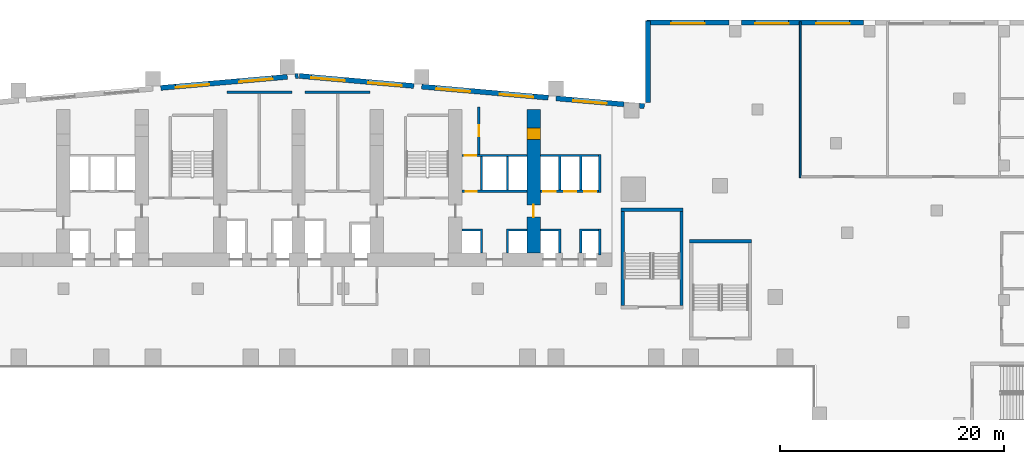
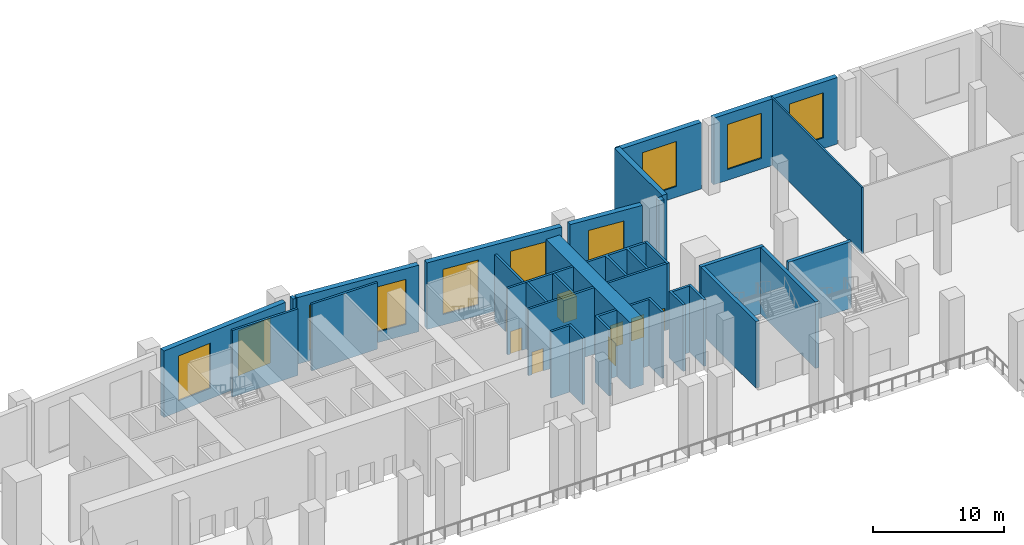
# One storey, part 16 of 30: 30 walls, 10 windows, 8 doors, 18 openings.
"""IFC4 building model written with IfcOpenShell, lengths in metres."""

from ifc_helpers import new_model, si_unit, direction, frame, frame_2d, origin, place, context, subcontext, project, spatial, polyline, rectangle, outline, extrude, material, layer, layer_set, type_object, element, fill, save


model = new_model("IFC4")

# Units and contexts
model_context = context("Model", 3, precision=1e-05, world=origin(), true_north=direction((0.0, 1.0)))
body_context = subcontext(model_context, "Body", "Model", "MODEL_VIEW")
ifc_project = project(units=[si_unit("LENGTHUNIT", "METRE"), si_unit("AREAUNIT", "SQUARE_METRE"), si_unit("VOLUMEUNIT", "CUBIC_METRE"), si_unit("PLANEANGLEUNIT", "RADIAN"), si_unit("MASSUNIT", "GRAM", prefix="KILO")], contexts=[model_context])

# Site, building, storey
site_placement = place(None, origin())
site = spatial("IfcSite", under=ifc_project, at=site_placement, CompositionType="ELEMENT")
building_placement = place(site_placement, origin())
building = spatial("IfcBuilding", under=site, at=building_placement, Name="Wharfspan Tower", CompositionType="ELEMENT")
storey_placement = place(building_placement, frame((0.0, 0.0, 15.0)))
storey = spatial("IfcBuildingStorey", under=building, at=storey_placement, Name="L02", CompositionType="ELEMENT", Elevation=15.0)

# Walls
ifc_material_1 = material(Name="Calcium silicate masonry", Category="masonry")
ifc_layer_1 = layer(ifc_material_1, 0.199951)
ifc_layer_set_1 = layer_set([ifc_layer_1], Name="Calcium silicate masonry")
wall_type_1 = type_object("IfcWallType", Name="Core room wall 200", PredefinedType="PARTITIONING", material=ifc_layer_set_1)
for number, where, z_axis, x_axis, name in (
    (1, (30.600098, 49.55249, 0.0), (0.0, 0.0, 1.0), (1.0, 0.0, 0.0), "sw:L02:RS3"),
    (2, (37.600098, 49.55249, 0.0), (0.0, 0.0, 1.0), (1.0, 0.0, 0.0), "sw:L02:RS4"),
):
    element("IfcWall", number, at=place(storey_placement, frame(where, z_axis=z_axis, x_axis=x_axis)), inside=storey, type_object=wall_type_1, Name=name, PredefinedType="PARTITIONING", context=body_context, shape_type="SweptSolid", body=[
        extrude(rectangle(XDim=5.799805, YDim=0.199951, at=frame_2d((2.899902, 0.0))), origin(), (0.0, 0.0, 1.0), 6.199951),
    ])

# Wall, opening, door
wall_1_placement = place(storey_placement, frame((53.100098, 44.0, 0.0), z_axis=(0.0, 0.0, 1.0), x_axis=(0.0, 1.0, 0.0)))
wall_1 = element("IfcWall", 3, at=wall_1_placement, inside=storey, type_object=wall_type_1, Name="sw:L02:RP6.1", PredefinedType="PARTITIONING", context=body_context, shape_type="SweptSolid", body=[
    extrude(rectangle(XDim=4.227783, YDim=0.199951, at=frame_2d((2.11377, 0.0))), origin(), (0.0, 0.0, 1.0), 6.199951),
])
opening_1_placement = place(wall_1_placement, frame((1.614014, 0.0, 0.0)))
opening_1 = element("IfcOpeningElement", 4, at=opening_1_placement, cuts=wall_1, Name="Opening CD02.6P1", PredefinedType="OPENING", context=body_context, shape_type="SweptSolid", body=[
    extrude(rectangle(XDim=1.0, YDim=2.100098, at=frame_2d((0.5, 1.050049))), frame((0.0, 0.109863, 0.0), z_axis=(0.0, -1.0, 0.0), x_axis=(1.0, 0.0, 0.0)), (0.0, 0.0, 1.0), 0.219971),
])
ifc_material_2 = material(Name="Steel door leaf", Category="steel")
door_type_1 = type_object("IfcDoorType", Name="Core room door 1000x2100", OperationType="SINGLE_SWING_LEFT", PredefinedType="DOOR", material=ifc_material_2)
door_1_placement = place(opening_1_placement, origin())
door_1 = element("IfcDoor", 5, at=door_1_placement, inside=storey, type_object=door_type_1, Name="d:L02:6:rp1", OperationType="SINGLE_SWING_LEFT", OverallHeight=2.100098, OverallWidth=1.0, PredefinedType="DOOR", context=body_context, shape_type="SweptSolid", body=[
    extrude(rectangle(XDim=1.0, YDim=2.100098, at=frame_2d((0.5, 1.050049))), frame((0.0, 0.024902, 0.0), z_axis=(0.0, -1.0, 0.0), x_axis=(1.0, 0.0, 0.0)), (0.0, 0.0, 1.0), 0.050049),
])
fill(opening_1, door_1)

# Wall, openings, doors
ifc_material_3 = material(Name="Concrete C70/85", Category="concrete")
ifc_layer_2 = layer(ifc_material_3, 1.199951)
ifc_layer_set_2 = layer_set([ifc_layer_2], Name="Concrete C70/85")
wall_type_2 = type_object("IfcWallType", Name="Core wall fallback 1.2", PredefinedType="SHEAR", material=ifc_layer_set_2)
wall_2_placement = place(storey_placement, frame((58.0, 35.199951, 0.0), z_axis=(0.0, 0.0, 1.0), x_axis=(0.0, 1.0, 0.0)))
wall_2 = element("IfcWall", 6, at=wall_2_placement, inside=storey, type_object=wall_type_2, Name="cw:L02:X7", PredefinedType="SHEAR", context=body_context, shape_type="SweptSolid", body=[
    extrude(rectangle(XDim=12.800049, YDim=1.199951, at=frame_2d((6.399902, 0.0))), origin(), (0.0, 0.0, 1.0), 6.199951),
])
opening_2_placement = place(wall_2_placement, frame((10.133789, 0.0, 0.0)))
opening_2 = element("IfcOpeningElement", 7, at=opening_2_placement, cuts=wall_2, Name="Opening CD02.7X", PredefinedType="OPENING", context=body_context, shape_type="SweptSolid", body=[
    extrude(rectangle(XDim=1.0, YDim=2.100098, at=frame_2d((0.5, 1.050049))), frame((0.0, 0.609863, 0.0), z_axis=(0.0, -1.0, 0.0), x_axis=(1.0, 0.0, 0.0)), (0.0, 0.0, 1.0), 1.219971),
])
opening_3_placement = place(wall_2_placement, frame((3.199951, 0.0, 0.0)))
opening_3 = element("IfcOpeningElement", 8, at=opening_3_placement, cuts=wall_2, Name="Opening CC02.7", PredefinedType="OPENING", context=body_context, shape_type="SweptSolid", body=[
    extrude(rectangle(XDim=1.100098, YDim=2.100098, at=frame_2d((0.550049, 1.050049))), frame((0.0, 0.609863, 0.0), z_axis=(0.0, -1.0, 0.0), x_axis=(1.0, 0.0, 0.0)), (0.0, 0.0, 1.0), 1.219971),
])
door_type_2 = type_object("IfcDoorType", Name="Core corridor door 1100x2100", OperationType="SINGLE_SWING_LEFT", PredefinedType="DOOR", material=ifc_material_2)
door_2_placement = place(opening_3_placement, origin())
door_2 = element("IfcDoor", 9, at=door_2_placement, inside=storey, type_object=door_type_2, Name="xd:L02:7", OperationType="SINGLE_SWING_LEFT", OverallHeight=2.100098, OverallWidth=1.100098, PredefinedType="DOOR", context=body_context, shape_type="SweptSolid", body=[
    extrude(rectangle(XDim=1.100098, YDim=2.100098, at=frame_2d((0.550049, 1.050049))), frame((0.0, 0.024902, 0.0), z_axis=(0.0, -1.0, 0.0), x_axis=(1.0, 0.0, 0.0)), (0.0, 0.0, 1.0), 0.050049),
])
fill(opening_3, door_2)
door_3_placement = place(opening_2_placement, origin())
door_3 = element("IfcDoor", 10, at=door_3_placement, inside=storey, type_object=door_type_1, Name="d:L02:7:sx", OperationType="SINGLE_SWING_LEFT", OverallHeight=2.100098, OverallWidth=1.0, PredefinedType="DOOR", context=body_context, shape_type="SweptSolid", body=[
    extrude(rectangle(XDim=1.0, YDim=2.100098, at=frame_2d((0.5, 1.050049))), frame((0.0, 0.599609, 0.0), z_axis=(0.0, -1.0, 0.0), x_axis=(1.0, 0.0, 0.0)), (0.0, 0.0, 1.0), 1.199463),
])
fill(opening_2, door_3)

# Wall, opening, door
ifc_material_4 = material(Name="Concrete C30/37", Category="concrete")
ifc_layer_3 = layer(ifc_material_4, 0.199951)
ifc_layer_set_3 = layer_set([ifc_layer_3], Name="Concrete C30/37")
wall_type_3 = type_object("IfcWallType", Name="Lift shaft wall 200", PredefinedType="PARTITIONING", material=ifc_layer_set_3)
wall_3_placement = place(storey_placement, frame((51.600098, 40.699951, 0.0), z_axis=(0.0, 0.0, 1.0), x_axis=(1.0, 0.0, 0.0)))
wall_3 = element("IfcWall", 11, at=wall_3_placement, inside=storey, type_object=wall_type_3, Name="sw:L02:RF6", PredefinedType="PARTITIONING", context=body_context, shape_type="SweptSolid", body=[
    extrude(rectangle(XDim=5.799805, YDim=0.199951, at=frame_2d((2.899902, 0.0))), origin(), (0.0, 0.0, 1.0), 6.199951),
])
opening_4_placement = place(wall_3_placement, frame((0.31665, 0.0, 0.0)))
opening_4 = element("IfcOpeningElement", 12, at=opening_4_placement, cuts=wall_3, Name="Opening CD02.6R1", PredefinedType="OPENING", context=body_context, shape_type="SweptSolid", body=[
    extrude(rectangle(XDim=1.0, YDim=2.100098, at=frame_2d((0.5, 1.050049))), frame((0.0, 0.109863, 0.0), z_axis=(0.0, -1.0, 0.0), x_axis=(1.0, 0.0, 0.0)), (0.0, 0.0, 1.0), 0.219971),
])
door_4_placement = place(opening_4_placement, origin())
door_4 = element("IfcDoor", 13, at=door_4_placement, inside=storey, type_object=door_type_1, Name="d:L02:6:rd6.1", OperationType="SINGLE_SWING_RIGHT", OverallHeight=2.100098, OverallWidth=1.0, PredefinedType="DOOR", context=body_context, shape_type="SweptSolid", body=[
    extrude(rectangle(XDim=1.0, YDim=2.100098, at=frame_2d((0.5, 1.050049))), frame((0.0, 0.024902, 0.0), z_axis=(0.0, -1.0, 0.0), x_axis=(1.0, 0.0, 0.0)), (0.0, 0.0, 1.0), 0.050049),
])
fill(opening_4, door_4)

wall_4_placement = place(storey_placement, frame((51.600098, 43.899902, 0.0), z_axis=(0.0, 0.0, 1.0), x_axis=(1.0, 0.0, 0.0)))
wall_4 = element("IfcWall", 14, at=wall_4_placement, inside=storey, type_object=wall_type_3, Name="sw:L02:RR6", PredefinedType="PARTITIONING", context=body_context, shape_type="SweptSolid", body=[
    extrude(rectangle(XDim=5.799805, YDim=0.199951, at=frame_2d((2.899902, 0.0))), origin(), (0.0, 0.0, 1.0), 6.199951),
])
opening_5_placement = place(wall_4_placement, frame((0.25, 0.0, 0.0)))
opening_5 = element("IfcOpeningElement", 15, at=opening_5_placement, cuts=wall_4, Name="Opening CD02.6S1", PredefinedType="OPENING", context=body_context, shape_type="SweptSolid", body=[
    extrude(rectangle(XDim=1.0, YDim=2.100098, at=frame_2d((0.5, 1.050049))), frame((0.0, 0.109863, 0.0), z_axis=(0.0, -1.0, 0.0), x_axis=(1.0, 0.0, 0.0)), (0.0, 0.0, 1.0), 0.219971),
])
door_5_placement = place(opening_5_placement, origin())
door_5 = element("IfcDoor", 16, at=door_5_placement, inside=storey, type_object=door_type_1, Name="d:L02:6:rs6.1", OperationType="SINGLE_SWING_LEFT", OverallHeight=2.100098, OverallWidth=1.0, PredefinedType="DOOR", context=body_context, shape_type="SweptSolid", body=[
    extrude(rectangle(XDim=1.0, YDim=2.100098, at=frame_2d((0.5, 1.050049))), frame((0.0, 0.024902, 0.0), z_axis=(0.0, -1.0, 0.0), x_axis=(1.0, 0.0, 0.0)), (0.0, 0.0, 1.0), 0.050049),
])
fill(opening_5, door_5)

# Walls
wall_5_placement = place(storey_placement, frame((0.0, 0.0, -0.000244)))
element("IfcWall", 17, at=wall_5_placement, inside=storey, type_object=wall_type_3, Name="sw:L02:FM6.0", PredefinedType="PARTITIONING", context=body_context, shape_type="SweptSolid", body=[
    extrude(outline(polyline([(53.233398, 37.149902), (51.600098, 37.149902), (51.600098, 37.350098), (53.233398, 37.350098), (53.43335, 37.350098), (53.43335, 35.199951), (53.233398, 35.199951), (53.233398, 37.149902)])), origin(), (0.0, 0.0, 1.0), 6.200195),
])
wall_6_placement = place(storey_placement, frame((0.0, 0.0, -0.000244)))
element("IfcWall", 18, at=wall_6_placement, inside=storey, type_object=wall_type_3, Name="sw:L02:FM6.1", PredefinedType="PARTITIONING", context=body_context, shape_type="SweptSolid", body=[
    extrude(outline(polyline([(55.56665, 37.350098), (55.766602, 37.350098), (57.399902, 37.350098), (57.399902, 37.149902), (55.766602, 37.149902), (55.766602, 35.199951), (55.56665, 35.199951), (55.56665, 37.350098)])), origin(), (0.0, 0.0, 1.0), 6.200195),
])
wall_7_placement = place(storey_placement, frame((0.0, 0.0, -0.000244)))
element("IfcWall", 19, at=wall_7_placement, inside=storey, type_object=wall_type_3, Name="sw:L02:RM6.0", PredefinedType="PARTITIONING", context=body_context, shape_type="SweptSolid", body=[
    extrude(outline(polyline([(53.233398, 40.800049), (53.233398, 43.800049), (53.43335, 43.800049), (53.43335, 40.800049), (53.233398, 40.800049)])), origin(), (0.0, 0.0, 1.0), 6.200195),
])
wall_8_placement = place(storey_placement, frame((0.0, 0.0, -0.000244)))
element("IfcWall", 20, at=wall_8_placement, inside=storey, type_object=wall_type_3, Name="sw:L02:RM6.1", PredefinedType="PARTITIONING", context=body_context, shape_type="SweptSolid", body=[
    extrude(outline(polyline([(55.56665, 40.800049), (55.56665, 43.800049), (55.766602, 43.800049), (55.766602, 40.800049), (55.56665, 40.800049)])), origin(), (0.0, 0.0, 1.0), 6.200195),
])

# Wall, openings, doors
wall_9_placement = place(storey_placement, frame((58.600098, 40.699951, 0.0), z_axis=(0.0, 0.0, 1.0), x_axis=(1.0, 0.0, 0.0)))
wall_9 = element("IfcWall", 21, at=wall_9_placement, inside=storey, type_object=wall_type_3, Name="sw:L02:RF7", PredefinedType="PARTITIONING", context=body_context, shape_type="SweptSolid", body=[
    extrude(rectangle(XDim=5.199951, YDim=0.199951, at=frame_2d((2.600098, 0.0))), origin(), (0.0, 0.0, 1.0), 6.199951),
])
opening_6_placement = place(wall_9_placement, frame((0.266602, 0.0, 0.0)))
opening_6 = element("IfcOpeningElement", 22, at=opening_6_placement, cuts=wall_9, Name="Opening LD.LA8.L02", PredefinedType="OPENING", context=body_context, shape_type="SweptSolid", body=[
    extrude(rectangle(XDim=1.100098, YDim=2.100098, at=frame_2d((0.550049, 1.050049))), frame((0.0, 0.109863, 0.0), z_axis=(0.0, -1.0, 0.0), x_axis=(1.0, 0.0, 0.0)), (0.0, 0.0, 1.0), 0.219971),
])
opening_7_placement = place(wall_9_placement, frame((2.116699, 0.0, 0.0)))
opening_7 = element("IfcOpeningElement", 23, at=opening_7_placement, cuts=wall_9, Name="Opening LD.LA9.L02", PredefinedType="OPENING", context=body_context, shape_type="SweptSolid", body=[
    extrude(rectangle(XDim=1.100098, YDim=2.100098, at=frame_2d((0.550049, 1.050049))), frame((0.0, 0.109863, 0.0), z_axis=(0.0, -1.0, 0.0), x_axis=(1.0, 0.0, 0.0)), (0.0, 0.0, 1.0), 0.219971),
])
opening_8_placement = place(wall_9_placement, frame((3.899902, 0.0, 0.0)))
opening_8 = element("IfcOpeningElement", 24, at=opening_8_placement, cuts=wall_9, Name="Opening LD.LA10.L02", PredefinedType="OPENING", context=body_context, shape_type="SweptSolid", body=[
    extrude(rectangle(XDim=1.100098, YDim=2.100098, at=frame_2d((0.550049, 1.050049))), frame((0.0, 0.109863, 0.0), z_axis=(0.0, -1.0, 0.0), x_axis=(1.0, 0.0, 0.0)), (0.0, 0.0, 1.0), 0.219971),
])
ifc_material_5 = material(Name="Stainless steel", Category="steel")
door_type_3 = type_object("IfcDoorType", Name="Lift landing door 1100x2100", OperationType="DOUBLE_DOOR_SLIDING", PredefinedType="DOOR", material=ifc_material_5)
door_6_placement = place(opening_6_placement, origin())
door_6 = element("IfcDoor", 25, at=door_6_placement, inside=storey, type_object=door_type_3, Name="Landing door LA8 L02", OperationType="DOUBLE_DOOR_SLIDING", OverallHeight=2.100098, OverallWidth=1.100098, PredefinedType="DOOR", context=body_context, shape_type="SweptSolid", body=[
    extrude(rectangle(XDim=1.100098, YDim=2.100098, at=frame_2d((0.550049, 1.050049))), frame((0.0, 0.024902, 0.0), z_axis=(0.0, -1.0, 0.0), x_axis=(1.0, 0.0, 0.0)), (0.0, 0.0, 1.0), 0.050049),
])
fill(opening_6, door_6)
door_7_placement = place(opening_7_placement, origin())
door_7 = element("IfcDoor", 26, at=door_7_placement, inside=storey, type_object=door_type_3, Name="Landing door LA9 L02", OperationType="DOUBLE_DOOR_SLIDING", OverallHeight=2.100098, OverallWidth=1.100098, PredefinedType="DOOR", context=body_context, shape_type="SweptSolid", body=[
    extrude(rectangle(XDim=1.100098, YDim=2.100098, at=frame_2d((0.550049, 1.050049))), frame((0.0, 0.024902, 0.0), z_axis=(0.0, -1.0, 0.0), x_axis=(1.0, 0.0, 0.0)), (0.0, 0.0, 1.0), 0.050049),
])
fill(opening_7, door_7)
door_8_placement = place(opening_8_placement, origin())
door_8 = element("IfcDoor", 27, at=door_8_placement, inside=storey, type_object=door_type_3, Name="Landing door LA10 L02", OperationType="DOUBLE_DOOR_SLIDING", OverallHeight=2.100098, OverallWidth=1.100098, PredefinedType="DOOR", context=body_context, shape_type="SweptSolid", body=[
    extrude(rectangle(XDim=1.100098, YDim=2.100098, at=frame_2d((0.550049, 1.050049))), frame((0.0, 0.024902, 0.0), z_axis=(0.0, -1.0, 0.0), x_axis=(1.0, 0.0, 0.0)), (0.0, 0.0, 1.0), 0.050049),
])
fill(opening_8, door_8)

# Walls
wall_10_placement = place(storey_placement, frame((0.0, 0.0, -0.000244)))
element("IfcWall", 28, at=wall_10_placement, inside=storey, type_object=wall_type_3, Name="sw:L02:FM7.0", PredefinedType="PARTITIONING", context=body_context, shape_type="SweptSolid", body=[
    extrude(outline(polyline([(60.233398, 37.149902), (58.600098, 37.149902), (58.600098, 37.350098), (60.233398, 37.350098), (60.43335, 37.350098), (60.43335, 35.199951), (60.233398, 35.199951), (60.233398, 37.149902)])), origin(), (0.0, 0.0, 1.0), 6.200195),
])
wall_11_placement = place(storey_placement, frame((0.0, 0.0, -0.000244)))
element("IfcWall", 29, at=wall_11_placement, inside=storey, type_object=wall_type_3, Name="sw:L02:FM7.1", PredefinedType="PARTITIONING", context=body_context, shape_type="SweptSolid", body=[
    extrude(outline(polyline([(62.100098, 37.350098), (62.300049, 37.350098), (63.800049, 37.350098), (63.800049, 37.149902), (62.300049, 37.149902), (62.300049, 35.199951), (62.100098, 35.199951), (62.100098, 37.350098)])), origin(), (0.0, 0.0, 1.0), 6.200195),
])
wall_12_placement = place(storey_placement, frame((0.0, 0.0, -0.000244)))
element("IfcWall", 30, at=wall_12_placement, inside=storey, type_object=wall_type_3, Name="sw:L02:RM7.0", PredefinedType="PARTITIONING", context=body_context, shape_type="SweptSolid", body=[
    extrude(outline(polyline([(60.43335, 40.800049), (60.233398, 40.800049), (60.233398, 43.800049), (58.600098, 43.800049), (58.600098, 44.0), (63.800049, 44.0), (63.800049, 43.800049), (62.300049, 43.800049), (62.300049, 40.800049), (62.100098, 40.800049), (62.100098, 43.800049), (60.43335, 43.800049), (60.43335, 40.800049)])), origin(), (0.0, 0.0, 1.0), 6.200195),
])
wall_13_placement = place(storey_placement, frame((63.899902, 35.0, 0.0), z_axis=(0.0, 0.0, 1.0), x_axis=(0.0, 1.0, 0.0)))
element("IfcWall", 31, at=wall_13_placement, inside=storey, type_object=wall_type_3, Name="sw:L02:ECF7", PredefinedType="PARTITIONING", context=body_context, shape_type="SweptSolid", body=[
    extrude(rectangle(XDim=2.350098, YDim=0.199951, at=frame_2d((1.175049, 0.0))), origin(), (0.0, 0.0, 1.0), 6.199951),
])
wall_14_placement = place(storey_placement, frame((63.899902, 40.600098, 0.0), z_axis=(0.0, 0.0, 1.0), x_axis=(0.0, 1.0, 0.0)))
element("IfcWall", 32, at=wall_14_placement, inside=storey, type_object=wall_type_3, Name="sw:L02:ECR7", PredefinedType="PARTITIONING", context=body_context, shape_type="SweptSolid", body=[
    extrude(rectangle(XDim=3.399902, YDim=0.199951, at=frame_2d((1.699951, 0.0))), origin(), (0.0, 0.0, 1.0), 6.199951),
])
ifc_layer_4 = layer(ifc_material_1, 0.149902)
ifc_layer_set_4 = layer_set([ifc_layer_4], Name="Calcium silicate masonry")
wall_type_4 = type_object("IfcWallType", Name="Podium room wall 150", PredefinedType="PARTITIONING", material=ifc_layer_set_4)
wall_15_placement = place(storey_placement, frame((81.800049, 41.925049, 0.0), z_axis=(0.0, 0.0, 1.0), x_axis=(0.0, 1.0, 0.0)))
element("IfcWall", 33, at=wall_15_placement, inside=storey, type_object=wall_type_4, Name="iw:L02:48", PredefinedType="PARTITIONING", context=body_context, shape_type="SweptSolid", body=[
    extrude(rectangle(XDim=13.925049, YDim=0.149902, at=frame_2d((6.962402, 0.0))), origin(), (0.0, 0.0, 1.0), 6.199951),
])
ifc_material_6 = material(Name="Concrete C40/50", Category="concrete")
ifc_layer_5 = layer(ifc_material_6, 0.300049)
ifc_layer_set_5 = layer_set([ifc_layer_5], Name="Concrete C40/50")
wall_type_5 = type_object("IfcWallType", Name="Podium stair core wall 300", PredefinedType="SHEAR", material=ifc_layer_set_5)
wall_16_placement = place(storey_placement, frame((65.800049, 39.050049, 0.0), z_axis=(0.0, 0.0, 1.0), x_axis=(1.0, 0.0, 0.0)))
element("IfcWall", 34, at=wall_16_placement, inside=storey, type_object=wall_type_5, Name="iw:L02:PS4N", PredefinedType="SHEAR", context=body_context, shape_type="SweptSolid", body=[
    extrude(rectangle(XDim=5.550049, YDim=0.300049, at=frame_2d((2.774902, 0.0))), origin(), (0.0, 0.0, 1.0), 6.199951),
])
for number, where, z_axis, x_axis, name in (
    (35, (65.949951, 30.5, 0.0), (0.0, 0.0, 1.0), (0.0, 1.0, 0.0), "iw:L02:PS4W"),
    (36, (71.199951, 30.5, 0.0), (0.0, 0.0, 1.0), (0.0, 1.0, 0.0), "iw:L02:PS4E"),
):
    element("IfcWall", number, at=place(storey_placement, frame(where, z_axis=z_axis, x_axis=x_axis)), inside=storey, type_object=wall_type_5, Name=name, PredefinedType="SHEAR", context=body_context, shape_type="SweptSolid", body=[
        extrude(rectangle(XDim=8.399902, YDim=0.300049, at=frame_2d((4.199951, 0.0))), origin(), (0.0, 0.0, 1.0), 6.199951),
    ])
wall_17_placement = place(storey_placement, frame((71.91748, 36.25, 0.0), z_axis=(0.0, 0.0, 1.0), x_axis=(1.0, 0.0, 0.0)))
element("IfcWall", 37, at=wall_17_placement, inside=storey, type_object=wall_type_5, Name="iw:L02:PS5N", PredefinedType="SHEAR", context=body_context, shape_type="SweptSolid", body=[
    extrude(rectangle(XDim=5.550049, YDim=0.300049, at=frame_2d((2.774902, 0.0))), origin(), (0.0, 0.0, 1.0), 6.199951),
])

# Wall, openings, windows
ifc_layer_6 = layer(ifc_material_6, 0.449951)
ifc_layer_set_6 = layer_set([ifc_layer_6], Name="Concrete C40/50")
wall_type_6 = type_object("IfcWallType", Name="WALL BOARD-MARKED CONCRETE 450", PredefinedType="SOLIDWALL", material=ifc_layer_set_6)
wall_18_placement = place(storey_placement, frame((87.449951, 55.774902, 0.0), z_axis=(0.0, 0.0, 1.0), x_axis=(-1.0, 0.0, 0.0)))
wall_18 = element("IfcWall", 38, at=wall_18_placement, inside=storey, type_object=wall_type_6, Name="Podium wall PF5", PredefinedType="SOLIDWALL", context=body_context, shape_type="SweptSolid", body=[
    extrude(rectangle(XDim=10.899902, YDim=0.449951, at=frame_2d((5.449951, 0.0))), origin(), (0.0, 0.0, 1.0), 6.199951),
])
opening_9_placement = place(wall_18_placement, frame((1.225098, 0.0, 1.0)))
opening_9 = element("IfcOpeningElement", 39, at=opening_9_placement, cuts=wall_18, Name="Opening EWN2", PredefinedType="OPENING", context=body_context, shape_type="SweptSolid", body=[
    extrude(rectangle(XDim=3.0, YDim=4.199951, at=frame_2d((1.5, 2.100098))), frame((0.0, 0.234863, 0.0), z_axis=(0.0, -1.0, 0.0), x_axis=(1.0, 0.0, 0.0)), (0.0, 0.0, 1.0), 0.469971),
])
opening_10_placement = place(wall_18_placement, frame((6.675049, 0.0, 1.0)))
opening_10 = element("IfcOpeningElement", 40, at=opening_10_placement, cuts=wall_18, Name="Opening EWN2", PredefinedType="OPENING", context=body_context, shape_type="SweptSolid", body=[
    extrude(rectangle(XDim=3.0, YDim=4.199951, at=frame_2d((1.5, 2.100098))), frame((0.0, 0.234863, 0.0), z_axis=(0.0, -1.0, 0.0), x_axis=(1.0, 0.0, 0.0)), (0.0, 0.0, 1.0), 0.469971),
])
ifc_material_7 = material(Name="Aluminium 6063-T6", Category="aluminium")
window_type = type_object("IfcWindowType", Name="WINDOW 3000x4200", PartitioningType="SINGLE_PANEL", PredefinedType="WINDOW", material=ifc_material_7)
window_1_placement = place(opening_9_placement, origin())
window_1 = element("IfcWindow", 41, at=window_1_placement, inside=storey, type_object=window_type, Name="Podium window", OverallHeight=4.199951, OverallWidth=3.0, PartitioningType="SINGLE_PANEL", PredefinedType="WINDOW", context=body_context, shape_type="SweptSolid", body=[
    extrude(rectangle(XDim=3.0, YDim=4.199951, at=frame_2d((1.5, 2.100098))), frame((0.0, 0.10498, 0.0), z_axis=(0.0, -1.0, 0.0), x_axis=(1.0, 0.0, 0.0)), (0.0, 0.0, 1.0), 0.060059),
])
fill(opening_9, window_1)
window_2_placement = place(opening_10_placement, origin())
window_2 = element("IfcWindow", 42, at=window_2_placement, inside=storey, type_object=window_type, Name="Podium window", OverallHeight=4.199951, OverallWidth=3.0, PartitioningType="SINGLE_PANEL", PredefinedType="WINDOW", context=body_context, shape_type="SweptSolid", body=[
    extrude(rectangle(XDim=3.0, YDim=4.199951, at=frame_2d((1.5, 2.100098))), frame((0.0, 0.10498, 0.0), z_axis=(0.0, -1.0, 0.0), x_axis=(1.0, 0.0, 0.0)), (0.0, 0.0, 1.0), 0.060059),
])
fill(opening_10, window_2)

# Wall, opening, window
wall_19_placement = place(storey_placement, frame((75.449951, 55.774902, 0.0), z_axis=(0.0, 0.0, 1.0), x_axis=(-1.0, 0.0, 0.0)))
wall_19 = element("IfcWall", 43, at=wall_19_placement, inside=storey, type_object=wall_type_6, Name="Podium wall PF5", PredefinedType="SOLIDWALL", context=body_context, shape_type="SweptSolid", body=[
    extrude(rectangle(XDim=7.349854, YDim=0.449951, at=frame_2d((3.674805, 0.0))), origin(), (0.0, 0.0, 1.0), 6.199951),
])
opening_11_placement = place(wall_19_placement, frame((2.175049, 0.0, 1.0)))
opening_11 = element("IfcOpeningElement", 44, at=opening_11_placement, cuts=wall_19, Name="Opening EWN2", PredefinedType="OPENING", context=body_context, shape_type="SweptSolid", body=[
    extrude(rectangle(XDim=3.0, YDim=4.199951, at=frame_2d((1.5, 2.100098))), frame((0.0, 0.234863, 0.0), z_axis=(0.0, -1.0, 0.0), x_axis=(1.0, 0.0, 0.0)), (0.0, 0.0, 1.0), 0.469971),
])
window_3_placement = place(opening_11_placement, origin())
window_3 = element("IfcWindow", 45, at=window_3_placement, inside=storey, type_object=window_type, Name="Podium window", OverallHeight=4.199951, OverallWidth=3.0, PartitioningType="SINGLE_PANEL", PredefinedType="WINDOW", context=body_context, shape_type="SweptSolid", body=[
    extrude(rectangle(XDim=3.0, YDim=4.199951, at=frame_2d((1.5, 2.100098))), frame((0.0, 0.10498, 0.0), z_axis=(0.0, -1.0, 0.0), x_axis=(1.0, 0.0, 0.0)), (0.0, 0.0, 1.0), 0.060059),
])
fill(opening_11, window_3)

# Wall
wall_20_placement = place(storey_placement, frame((68.225098, 55.899902, 0.0), z_axis=(0.0, 0.0, 1.0), x_axis=(0.0, -1.0, 0.0)))
element("IfcWall", 46, at=wall_20_placement, inside=storey, type_object=wall_type_6, Name="Podium wall PF6", PredefinedType="SOLIDWALL", context=body_context, shape_type="SweptSolid", body=[
    extrude(rectangle(XDim=7.274658, YDim=0.449951, at=frame_2d((3.637207, 0.0))), origin(), (0.0, 0.0, 1.0), 6.199951),
])

# Wall, opening, window
wall_21_placement = place(storey_placement, frame((66.05835, 48.468994, 0.0), z_axis=(0.0, 0.0, 1.0), x_axis=(-0.996195, 0.087158, 0.0)))
wall_21 = element("IfcWall", 47, at=wall_21_placement, inside=storey, type_object=wall_type_6, Name="Podium wall PF7", PredefinedType="SOLIDWALL", context=body_context, shape_type="SweptSolid", body=[
    extrude(rectangle(XDim=6.081299, YDim=0.449951, at=frame_2d((3.040527, 0.0))), origin(), (0.0, 0.0, 1.0), 6.199951),
])
opening_12_placement = place(wall_21_placement, frame((1.540527, 0.0, 1.0)))
opening_12 = element("IfcOpeningElement", 48, at=opening_12_placement, cuts=wall_21, Name="Opening EWN2", PredefinedType="OPENING", context=body_context, shape_type="SweptSolid", body=[
    extrude(rectangle(XDim=3.0, YDim=4.199951, at=frame_2d((1.5, 2.100098))), frame((0.0, 0.234863, 0.0), z_axis=(0.0, -1.0, 0.0), x_axis=(1.0, 0.0, 0.0)), (0.0, 0.0, 1.0), 0.469971),
])
window_4_placement = place(opening_12_placement, origin())
window_4 = element("IfcWindow", 49, at=window_4_placement, inside=storey, type_object=window_type, Name="Podium window", OverallHeight=4.199951, OverallWidth=3.0, PartitioningType="SINGLE_PANEL", PredefinedType="WINDOW", context=body_context, shape_type="SweptSolid", body=[
    extrude(rectangle(XDim=3.0, YDim=4.199951, at=frame_2d((1.5, 2.100098))), frame((0.0, 0.10498, 0.0), z_axis=(0.0, -1.0, 0.0), x_axis=(1.0, 0.0, 0.0)), (0.0, 0.0, 1.0), 0.060059),
])
fill(opening_12, window_4)

# Wall, openings, windows
wall_22_placement = place(storey_placement, frame((59.300537, 49.060303, 0.0), z_axis=(0.0, 0.0, 1.0), x_axis=(-0.996195, 0.087145, 0.0)))
wall_22 = element("IfcWall", 50, at=wall_22_placement, inside=storey, type_object=wall_type_6, Name="Podium wall PF7", PredefinedType="SOLIDWALL", context=body_context, shape_type="SweptSolid", body=[
    extrude(rectangle(XDim=11.343506, YDim=0.449951, at=frame_2d((5.671875, 0.0))), origin(), (0.0, 0.0, 1.0), 6.199951),
])
opening_13_placement = place(wall_22_placement, frame((1.335938, 0.0, 1.0)))
opening_13 = element("IfcOpeningElement", 51, at=opening_13_placement, cuts=wall_22, Name="Opening EWN2", PredefinedType="OPENING", context=body_context, shape_type="SweptSolid", body=[
    extrude(rectangle(XDim=3.0, YDim=4.199951, at=frame_2d((1.5, 2.100098))), frame((0.0, 0.234863, 0.0), z_axis=(0.0, -1.0, 0.0), x_axis=(1.0, 0.0, 0.0)), (0.0, 0.0, 1.0), 0.469971),
])
opening_14_placement = place(wall_22_placement, frame((7.007568, 0.0, 1.0)))
opening_14 = element("IfcOpeningElement", 52, at=opening_14_placement, cuts=wall_22, Name="Opening EWN2", PredefinedType="OPENING", context=body_context, shape_type="SweptSolid", body=[
    extrude(rectangle(XDim=3.0, YDim=4.199951, at=frame_2d((1.5, 2.100098))), frame((0.0, 0.234863, 0.0), z_axis=(0.0, -1.0, 0.0), x_axis=(1.0, 0.0, 0.0)), (0.0, 0.0, 1.0), 0.469971),
])
window_5_placement = place(opening_13_placement, origin())
window_5 = element("IfcWindow", 53, at=window_5_placement, inside=storey, type_object=window_type, Name="Podium window", OverallHeight=4.199951, OverallWidth=3.0, PartitioningType="SINGLE_PANEL", PredefinedType="WINDOW", context=body_context, shape_type="SweptSolid", body=[
    extrude(rectangle(XDim=3.0, YDim=4.199951, at=frame_2d((1.5, 2.100098))), frame((0.0, 0.10498, 0.0), z_axis=(0.0, -1.0, 0.0), x_axis=(1.0, 0.0, 0.0)), (0.0, 0.0, 1.0), 0.060059),
])
fill(opening_13, window_5)
window_6_placement = place(opening_14_placement, origin())
window_6 = element("IfcWindow", 54, at=window_6_placement, inside=storey, type_object=window_type, Name="Podium window", OverallHeight=4.199951, OverallWidth=3.0, PartitioningType="SINGLE_PANEL", PredefinedType="WINDOW", context=body_context, shape_type="SweptSolid", body=[
    extrude(rectangle(XDim=3.0, YDim=4.199951, at=frame_2d((1.5, 2.100098))), frame((0.0, 0.10498, 0.0), z_axis=(0.0, -1.0, 0.0), x_axis=(1.0, 0.0, 0.0)), (0.0, 0.0, 1.0), 0.060059),
])
fill(opening_14, window_6)

wall_23_placement = place(storey_placement, frame((47.300537, 50.110107, 0.0), z_axis=(0.0, 0.0, 1.0), x_axis=(-0.996195, 0.087143, 0.0)))
wall_23 = element("IfcWall", 55, at=wall_23_placement, inside=storey, type_object=wall_type_6, Name="Podium wall PF7", PredefinedType="SOLIDWALL", context=body_context, shape_type="SweptSolid", body=[
    extrude(rectangle(XDim=10.259521, YDim=0.449951, at=frame_2d((5.129883, 0.0))), origin(), (0.0, 0.0, 1.0), 6.199951),
])
opening_15_placement = place(wall_23_placement, frame((1.064941, 0.0, 1.0)))
opening_15 = element("IfcOpeningElement", 56, at=opening_15_placement, cuts=wall_23, Name="Opening EWN2", PredefinedType="OPENING", context=body_context, shape_type="SweptSolid", body=[
    extrude(rectangle(XDim=3.0, YDim=4.199951, at=frame_2d((1.5, 2.100098))), frame((0.0, 0.234863, 0.0), z_axis=(0.0, -1.0, 0.0), x_axis=(1.0, 0.0, 0.0)), (0.0, 0.0, 1.0), 0.469971),
])
opening_16_placement = place(wall_23_placement, frame((6.19458, 0.0, 1.0)))
opening_16 = element("IfcOpeningElement", 57, at=opening_16_placement, cuts=wall_23, Name="Opening EWN2", PredefinedType="OPENING", context=body_context, shape_type="SweptSolid", body=[
    extrude(rectangle(XDim=3.0, YDim=4.199951, at=frame_2d((1.5, 2.100098))), frame((0.0, 0.234863, 0.0), z_axis=(0.0, -1.0, 0.0), x_axis=(1.0, 0.0, 0.0)), (0.0, 0.0, 1.0), 0.469971),
])
window_7_placement = place(opening_15_placement, origin())
window_7 = element("IfcWindow", 58, at=window_7_placement, inside=storey, type_object=window_type, Name="Podium window", OverallHeight=4.199951, OverallWidth=3.0, PartitioningType="SINGLE_PANEL", PredefinedType="WINDOW", context=body_context, shape_type="SweptSolid", body=[
    extrude(rectangle(XDim=3.0, YDim=4.199951, at=frame_2d((1.5, 2.100098))), frame((0.0, 0.10498, 0.0), z_axis=(0.0, -1.0, 0.0), x_axis=(1.0, 0.0, 0.0)), (0.0, 0.0, 1.0), 0.060059),
])
fill(opening_15, window_7)
window_8_placement = place(opening_16_placement, origin())
window_8 = element("IfcWindow", 59, at=window_8_placement, inside=storey, type_object=window_type, Name="Podium window", OverallHeight=4.199951, OverallWidth=3.0, PartitioningType="SINGLE_PANEL", PredefinedType="WINDOW", context=body_context, shape_type="SweptSolid", body=[
    extrude(rectangle(XDim=3.0, YDim=4.199951, at=frame_2d((1.5, 2.100098))), frame((0.0, 0.10498, 0.0), z_axis=(0.0, -1.0, 0.0), x_axis=(1.0, 0.0, 0.0)), (0.0, 0.0, 1.0), 0.060059),
])
fill(opening_16, window_8)

# Wall
wall_24_placement = place(storey_placement, frame((67.880859, 48.30957, 0.0), z_axis=(0.0, 0.0, 1.0), x_axis=(-0.99621, 0.086944, 0.0)))
element("IfcWall", 60, at=wall_24_placement, inside=storey, type_object=wall_type_6, Name="Podium wall PF7", PredefinedType="SOLIDWALL", context=body_context, shape_type="SweptSolid", body=[
    extrude(rectangle(XDim=0.435303, YDim=0.449951, at=frame_2d((0.217773, 0.0))), origin(), (0.0, 0.0, 1.0), 6.199951),
])

# Wall, openings, windows
wall_25_placement = place(storey_placement, frame((35.999756, 50.923584, 0.0), z_axis=(0.0, 0.0, 1.0), x_axis=(-0.996195, -0.087145, 0.0)))
wall_25 = element("IfcWall", 61, at=wall_25_placement, inside=storey, type_object=wall_type_6, Name="Podium wall PF8", PredefinedType="SOLIDWALL", context=body_context, shape_type="SweptSolid", body=[
    extrude(rectangle(XDim=11.343506, YDim=0.449951, at=frame_2d((5.671875, 0.0))), origin(), (0.0, 0.0, 1.0), 6.199951),
])
opening_17_placement = place(wall_25_placement, frame((1.335938, 0.0, 1.0)))
opening_17 = element("IfcOpeningElement", 62, at=opening_17_placement, cuts=wall_25, Name="Opening EWN2", PredefinedType="OPENING", context=body_context, shape_type="SweptSolid", body=[
    extrude(rectangle(XDim=3.0, YDim=4.199951, at=frame_2d((1.5, 2.100098))), frame((0.0, 0.234863, 0.0), z_axis=(0.0, -1.0, 0.0), x_axis=(1.0, 0.0, 0.0)), (0.0, 0.0, 1.0), 0.469971),
])
opening_18_placement = place(wall_25_placement, frame((7.007568, 0.0, 1.0)))
opening_18 = element("IfcOpeningElement", 63, at=opening_18_placement, cuts=wall_25, Name="Opening EWN2", PredefinedType="OPENING", context=body_context, shape_type="SweptSolid", body=[
    extrude(rectangle(XDim=3.0, YDim=4.199951, at=frame_2d((1.5, 2.100098))), frame((0.0, 0.234863, 0.0), z_axis=(0.0, -1.0, 0.0), x_axis=(1.0, 0.0, 0.0)), (0.0, 0.0, 1.0), 0.469971),
])
window_9_placement = place(opening_17_placement, origin())
window_9 = element("IfcWindow", 64, at=window_9_placement, inside=storey, type_object=window_type, Name="Podium window", OverallHeight=4.199951, OverallWidth=3.0, PartitioningType="SINGLE_PANEL", PredefinedType="WINDOW", context=body_context, shape_type="SweptSolid", body=[
    extrude(rectangle(XDim=3.0, YDim=4.199951, at=frame_2d((1.5, 2.100098))), frame((0.0, 0.10498, 0.0), z_axis=(0.0, -1.0, 0.0), x_axis=(1.0, 0.0, 0.0)), (0.0, 0.0, 1.0), 0.060059),
])
fill(opening_17, window_9)
window_10_placement = place(opening_18_placement, origin())
window_10 = element("IfcWindow", 65, at=window_10_placement, inside=storey, type_object=window_type, Name="Podium window", OverallHeight=4.199951, OverallWidth=3.0, PartitioningType="SINGLE_PANEL", PredefinedType="WINDOW", context=body_context, shape_type="SweptSolid", body=[
    extrude(rectangle(XDim=3.0, YDim=4.199951, at=frame_2d((1.5, 2.100098))), frame((0.0, 0.10498, 0.0), z_axis=(0.0, -1.0, 0.0), x_axis=(1.0, 0.0, 0.0)), (0.0, 0.0, 1.0), 0.060059),
])
fill(opening_18, window_10)

# Wall
wall_26_placement = place(storey_placement, frame((36.969727, 51.008545, 0.0), z_axis=(0.0, 0.0, 1.0), x_axis=(-0.996186, -0.08729, 0.0)))
element("IfcWall", 66, at=wall_26_placement, inside=storey, type_object=wall_type_6, Name="Podium wall PF8", PredefinedType="SOLIDWALL", context=body_context, shape_type="SweptSolid", body=[
    extrude(rectangle(XDim=0.27124, YDim=0.449951, at=frame_2d((0.135742, 0.0))), origin(), (0.0, 0.0, 1.0), 6.199951),
])

save(model, "model.ifc")
